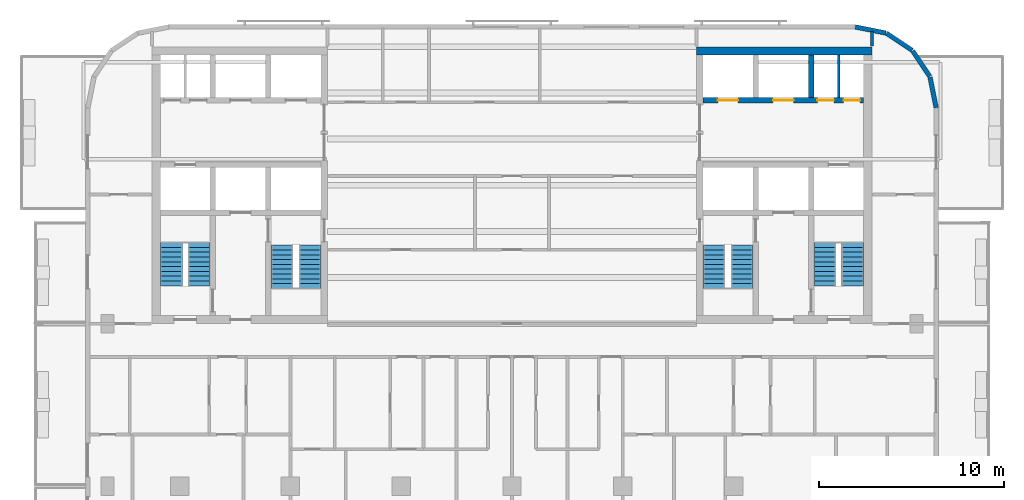
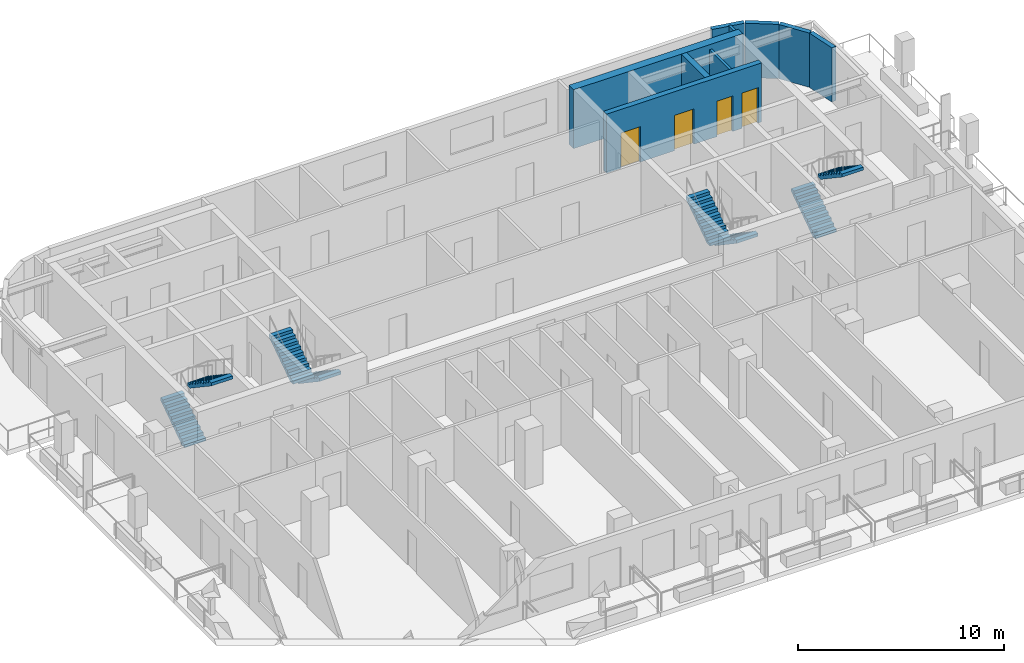
# One storey, part 7 of 11: 9 walls, 8 stair flights, 4 doors, 4 openings, 4 elements without a shape of their own.
"""IFC4 building model written with IfcOpenShell, lengths in metres."""

from ifc_helpers import new_model, si_unit, direction, frame, frame_2d, origin, place, context, subcontext, project, spatial, polyline, rectangle, outline, extrude, material, layer, layer_set, type_object, element, fill, aggregate, save


model = new_model("IFC4")

# Units and contexts
model_context = context("Model", 3, precision=1e-05, world=origin(), true_north=direction((0.0, 1.0)))
body_context = subcontext(model_context, "Body", "Model", "MODEL_VIEW")
ifc_project = project(units=[si_unit("LENGTHUNIT", "METRE"), si_unit("AREAUNIT", "SQUARE_METRE"), si_unit("VOLUMEUNIT", "CUBIC_METRE"), si_unit("PLANEANGLEUNIT", "RADIAN"), si_unit("MASSUNIT", "GRAM", prefix="KILO")], contexts=[model_context])

# Site, building, storey
site_placement = place(None, origin())
site = spatial("IfcSite", under=ifc_project, at=site_placement, CompositionType="ELEMENT")
building_placement = place(site_placement, origin())
building = spatial("IfcBuilding", under=site, at=building_placement, Name="Torana Hotel and Residences", CompositionType="ELEMENT")
storey_placement = place(building_placement, frame((0.0, 0.0, 287.60009765625)))
storey = spatial("IfcBuildingStorey", under=building, at=storey_placement, Name="L76", CompositionType="ELEMENT", Elevation=287.60009765625)

# Wall, openings, doors
ifc_material_1 = material(Name="Concrete C60/75", Category="concrete")
ifc_layer_1 = layer(ifc_material_1, 0.300048828125)
ifc_layer_set_1 = layer_set([ifc_layer_1], Name="CORE WALL 300 C60/75")
wall_type_1 = type_object("IfcWallType", Name="CORE WALL 300 C60/75", PredefinedType="SHEAR", material=ifc_layer_set_1)
wall_1_placement = place(storey_placement, frame((10.35009765625, -2.89990234375, 0.0), z_axis=(0.0, 0.0, 1.0), x_axis=(1.0, 0.0, 0.0)))
wall_1 = element("IfcWall", 1, at=wall_1_placement, inside=storey, type_object=wall_type_1, Name="Core wall E row-N", PredefinedType="SHEAR", context=body_context, shape_type="SweptSolid", body=[
    extrude(rectangle(XDim=8.699951171875, YDim=0.300048828125, at=frame_2d((4.35009765625, 0.0))), origin(), (0.0, 0.0, 1.0), 3.5),
])
opening_1_placement = place(wall_1_placement, frame((0.800048828125, 0.0, 0.0)))
opening_1 = element("IfcOpeningElement", 2, at=opening_1_placement, cuts=wall_1, Name="Opening LD", PredefinedType="OPENING", context=body_context, shape_type="SweptSolid", body=[
    extrude(rectangle(XDim=1.10009765625, YDim=2.10009765625, at=frame_2d((0.550048828125, 1.050048828125))), frame((0.0, 0.159912109375, 0.0), z_axis=(0.0, -1.0, 0.0), x_axis=(1.0, 0.0, 0.0)), (0.0, 0.0, 1.0), 0.320068359375),
])
opening_2_placement = place(wall_1_placement, frame((3.800048828125, 0.0, 0.0)))
opening_2 = element("IfcOpeningElement", 3, at=opening_2_placement, cuts=wall_1, Name="Opening LD", PredefinedType="OPENING", context=body_context, shape_type="SweptSolid", body=[
    extrude(rectangle(XDim=1.10009765625, YDim=2.10009765625, at=frame_2d((0.550048828125, 1.050048828125))), frame((0.0, 0.159912109375, 0.0), z_axis=(0.0, -1.0, 0.0), x_axis=(1.0, 0.0, 0.0)), (0.0, 0.0, 1.0), 0.320068359375),
])
opening_3_placement = place(wall_1_placement, frame((6.1875, 0.0, 0.0)))
opening_3 = element("IfcOpeningElement", 4, at=opening_3_placement, cuts=wall_1, Name="Opening L76-15", PredefinedType="OPENING", context=body_context, shape_type="SweptSolid", body=[
    extrude(rectangle(XDim=0.89990234375, YDim=2.10009765625, at=frame_2d((0.449951171875, 1.050048828125))), frame((0.0, 0.159912109375, 0.0), z_axis=(0.0, -1.0, 0.0), x_axis=(1.0, 0.0, 0.0)), (0.0, 0.0, 1.0), 0.320068359375),
])
opening_4_placement = place(wall_1_placement, frame((7.612548828125, 0.0, 0.0)))
opening_4 = element("IfcOpeningElement", 5, at=opening_4_placement, cuts=wall_1, Name="Opening L76-16", PredefinedType="OPENING", context=body_context, shape_type="SweptSolid", body=[
    extrude(rectangle(XDim=0.89990234375, YDim=2.10009765625, at=frame_2d((0.449951171875, 1.050048828125))), frame((0.0, 0.159912109375, 0.0), z_axis=(0.0, -1.0, 0.0), x_axis=(1.0, 0.0, 0.0)), (0.0, 0.0, 1.0), 0.320068359375),
])
ifc_material_2 = material(Name="Stainless steel 316", Category="steel")
door_type_1 = type_object("IfcDoorType", Name="LIFT LANDING DOOR LD 1100x2100", OperationType="DOUBLE_DOOR_SLIDING", PredefinedType="USERDEFINED", material=ifc_material_2)
door_1_placement = place(opening_1_placement, origin())
door_1 = element("IfcDoor", 6, at=door_1_placement, inside=storey, type_object=door_type_1, Name="Lift landing door H3 L76", ObjectType="LIFT LANDING DOOR", OperationType="DOUBLE_DOOR_SLIDING", OverallHeight=2.10009765625, OverallWidth=1.10009765625, PredefinedType="USERDEFINED", context=body_context, shape_type="SweptSolid", body=[
    extrude(rectangle(XDim=1.10009765625, YDim=2.10009765625, at=frame_2d((0.550048828125, 1.050048828125))), frame((0.0, 0.02490234375, 0.0), z_axis=(0.0, -1.0, 0.0), x_axis=(1.0, 0.0, 0.0)), (0.0, 0.0, 1.0), 0.050048828125),
])
fill(opening_1, door_1)
door_2_placement = place(opening_2_placement, origin())
door_2 = element("IfcDoor", 7, at=door_2_placement, inside=storey, type_object=door_type_1, Name="Lift landing door H4 L76", ObjectType="LIFT LANDING DOOR", OperationType="DOUBLE_DOOR_SLIDING", OverallHeight=2.10009765625, OverallWidth=1.10009765625, PredefinedType="USERDEFINED", context=body_context, shape_type="SweptSolid", body=[
    extrude(rectangle(XDim=1.10009765625, YDim=2.10009765625, at=frame_2d((0.550048828125, 1.050048828125))), frame((0.0, 0.02490234375, 0.0), z_axis=(0.0, -1.0, 0.0), x_axis=(1.0, 0.0, 0.0)), (0.0, 0.0, 1.0), 0.050048828125),
])
fill(opening_2, door_2)
ifc_material_3 = material(Name="Steel S235", Category="steel")
door_type_2 = type_object("IfcDoorType", Name="RISER ACCESS DOOR D5 900x2100", OperationType="SINGLE_SWING_LEFT", PredefinedType="DOOR", material=ifc_material_3)
door_3_placement = place(opening_3_placement, origin())
door_3 = element("IfcDoor", 8, at=door_3_placement, inside=storey, type_object=door_type_2, Name="N2A door L76", OperationType="SINGLE_SWING_RIGHT", OverallHeight=2.10009765625, OverallWidth=0.89990234375, PredefinedType="DOOR", context=body_context, shape_type="SweptSolid", body=[
    extrude(rectangle(XDim=0.89990234375, YDim=2.10009765625, at=frame_2d((0.449951171875, 1.050048828125))), frame((0.0, 0.02490234375, 0.0), z_axis=(0.0, -1.0, 0.0), x_axis=(1.0, 0.0, 0.0)), (0.0, 0.0, 1.0), 0.050048828125),
])
fill(opening_3, door_3)
door_4_placement = place(opening_4_placement, origin())
door_4 = element("IfcDoor", 9, at=door_4_placement, inside=storey, type_object=door_type_2, Name="N2B door L76", OperationType="SINGLE_SWING_RIGHT", OverallHeight=2.10009765625, OverallWidth=0.89990234375, PredefinedType="DOOR", context=body_context, shape_type="SweptSolid", body=[
    extrude(rectangle(XDim=0.89990234375, YDim=2.10009765625, at=frame_2d((0.449951171875, 1.050048828125))), frame((0.0, 0.02490234375, 0.0), z_axis=(0.0, -1.0, 0.0), x_axis=(1.0, 0.0, 0.0)), (0.0, 0.0, 1.0), 0.050048828125),
])
fill(opening_4, door_4)

# Walls
wall_2_placement = place(storey_placement, frame((16.199951171875, -2.75, 0.0), z_axis=(0.0, 0.0, 1.0), x_axis=(0.0, 1.0, 0.0)))
element("IfcWall", 10, at=wall_2_placement, inside=storey, type_object=wall_type_1, Name="Core wall E x6.05-N", PredefinedType="SHEAR", context=body_context, shape_type="SweptSolid", body=[
    extrude(rectangle(XDim=2.300048828125, YDim=0.300048828125, at=frame_2d((1.14990234375, 0.0))), origin(), (0.0, 0.0, 1.0), 3.5),
])
ifc_material_4 = material(Name="Concrete C60/75", Category="concrete")
ifc_layer_2 = layer(ifc_material_4, 0.449951171875)
ifc_layer_set_2 = layer_set([ifc_layer_2], Name="CORE WALL 450 C60/75")
wall_type_2 = type_object("IfcWallType", Name="CORE WALL 450 C60/75", PredefinedType="SHEAR", material=ifc_layer_set_2)
wall_3_placement = place(storey_placement, frame((10.0, -0.22509765625, 0.0), z_axis=(0.0, 0.0, 1.0), x_axis=(1.0, 0.0, 0.0)))
element("IfcWall", 11, at=wall_3_placement, inside=storey, type_object=wall_type_2, Name="Core wall E rear", PredefinedType="SHEAR", context=body_context, shape_type="SweptSolid", body=[
    extrude(rectangle(XDim=9.5, YDim=0.449951171875, at=frame_2d((4.75, 0.0))), origin(), (0.0, 0.0, 1.0), 3.5),
])
ifc_material_5 = material(Name="Black aluminium composite panel", Category="aluminium")
ifc_layer_3 = layer(ifc_material_5, 0.00390625, Name="Cladding", Category="cladding")
ifc_material_6 = material(Name="Ventilated air cavity")
ifc_layer_4 = layer(ifc_material_6, 0.0400390625, Name="Ventilated cavity", Category="cavity")
ifc_material_7 = material(Name="Mineral wool insulation")
ifc_layer_5 = layer(ifc_material_7, 0.090087890625, Name="Insulation", Category="insulation")
ifc_material_8 = material(Name="Steel S280GD", Category="steel")
ifc_layer_6 = layer(ifc_material_8, 0.092041015625, Name="Steel stud frame", Category="structure")
ifc_material_9 = material(Name="Fire rated plasterboard")
ifc_layer_7 = layer(ifc_material_9, 0.011962890625, Name="Inner board", Category="finish")
ifc_layer_8 = layer(ifc_material_9, 0.011962890625, Name="Second board", Category="finish")
ifc_layer_set_3 = layer_set([ifc_layer_3, ifc_layer_4, ifc_layer_5, ifc_layer_6, ifc_layer_7, ifc_layer_8], Name="EW1 EXTERNAL WALL BLACK METAL CLAD 250")
wall_type_3 = type_object("IfcWallType", Name="EW1 EXTERNAL WALL BLACK METAL CLAD 250", PredefinedType="SOLIDWALL", material=ifc_layer_set_3)
wall_4_placement = place(storey_placement, frame((22.97265625, -3.30029296875, 0.0), z_axis=(0.0, 0.0, 1.0), x_axis=(-0.19513878023, 0.980775640221, 0.0)))
element("IfcWall", 12, at=wall_4_placement, inside=storey, type_object=wall_type_3, Name="External wall L76 e0.0", PredefinedType="SOLIDWALL", context=body_context, shape_type="SweptSolid", body=[
    extrude(rectangle(XDim=1.681396484375, YDim=0.25, at=frame_2d((0.8408203125, 0.0))), origin(), (0.0, 0.0, 1.0), 3.219970703125),
])
for number, where, z_axis, x_axis, name in (
    (13, (22.6259765625, -1.60595703125, 0.0), (0.0, 0.0, 1.0), (-0.55555029066, 0.831482937015, 0.0), "External wall L76 e0.1"),
    (14, (21.671142578125, -0.1943359375, 0.0), (0.0, 0.0, 1.0), (-0.831482937015, 0.55555029066, 0.0), "External wall L76 e0.2"),
):
    element("IfcWall", number, at=place(storey_placement, frame(where, z_axis=z_axis, x_axis=x_axis)), inside=storey, type_object=wall_type_3, Name=name, PredefinedType="SOLIDWALL", context=body_context, shape_type="SweptSolid", body=[
        extrude(rectangle(XDim=1.65625, YDim=0.25, at=frame_2d((0.828125, 0.0))), origin(), (0.0, 0.0, 1.0), 3.219970703125),
    ])
wall_5_placement = place(storey_placement, frame((20.248779296875, 0.74462890625, 0.0), z_axis=(0.0, 0.0, 1.0), x_axis=(-0.980797896849, 0.195026884138, 0.0)))
element("IfcWall", 15, at=wall_5_placement, inside=storey, type_object=wall_type_3, Name="External wall L76 e0.3", PredefinedType="SOLIDWALL", context=body_context, shape_type="SweptSolid", body=[
    extrude(rectangle(XDim=1.68115234375, YDim=0.25, at=frame_2d((0.840576171875, 0.0))), origin(), (0.0, 0.0, 1.0), 3.219970703125),
])
ifc_material_10 = material(Name="Gypsum plaster")
ifc_layer_9 = layer(ifc_material_10, 0.014892578125, Name="Plaster", Category="finish")
ifc_material_11 = material(Name="Concrete blockwork", Category="masonry")
ifc_layer_10 = layer(ifc_material_11, 0.1201171875, Name="Blockwork", Category="structure")
ifc_layer_11 = layer(ifc_material_10, 0.014892578125, Name="Plaster", Category="finish")
ifc_layer_set_4 = layer_set([ifc_layer_9, ifc_layer_10, ifc_layer_11], Name="FIRE PARTITION 150 BLOCKWORK")
wall_type_4 = type_object("IfcWallType", Name="FIRE PARTITION 150 BLOCKWORK", PredefinedType="PARTITIONING", material=ifc_layer_set_4)
wall_6_placement = place(storey_placement, frame((17.699951171875, -2.75, 0.0), z_axis=(0.0, 0.0, 1.0), x_axis=(0.0, 1.0, 0.0)))
element("IfcWall", 16, at=wall_6_placement, inside=storey, type_object=wall_type_4, Name="Core partition L76", PredefinedType="PARTITIONING", context=body_context, shape_type="SweptSolid", body=[
    extrude(rectangle(XDim=2.300048828125, YDim=0.14990234375, at=frame_2d((1.14990234375, 0.0))), origin(), (0.0, 0.0, 1.0), 3.199951171875),
])
ifc_material_12 = material(Name="Gypsum plasterboard")
ifc_layer_12 = layer(ifc_material_12, 0.012451171875, Name="Plasterboard", Category="finish")
ifc_layer_13 = layer(ifc_material_12, 0.012451171875, Name="Plasterboard", Category="finish")
ifc_layer_14 = layer(ifc_material_8, 0.10009765625, Name="Steel studs with mineral wool", Category="insulation")
ifc_layer_15 = layer(ifc_material_12, 0.012451171875, Name="Plasterboard", Category="finish")
ifc_layer_16 = layer(ifc_material_12, 0.012451171875, Name="Plasterboard", Category="finish")
ifc_layer_set_5 = layer_set([ifc_layer_12, ifc_layer_13, ifc_layer_14, ifc_layer_15, ifc_layer_16], Name="PARTITION 150 PLASTERBOARD")
wall_type_5 = type_object("IfcWallType", Name="PARTITION 150 PLASTERBOARD", PredefinedType="PARTITIONING", material=ifc_layer_set_5)
wall_7_placement = place(storey_placement, frame((19.5, 0.050048828125, 0.0), z_axis=(0.0, 0.0, 1.0), x_axis=(0.0, 1.0, 0.0)))
element("IfcWall", 17, at=wall_7_placement, inside=storey, type_object=wall_type_5, Name="Partition L76", PredefinedType="PARTITIONING", context=body_context, shape_type="SweptSolid", body=[
    extrude(rectangle(XDim=0.787353515625, YDim=0.14990234375, at=frame_2d((0.3935546875, 0.0))), origin(), (0.0, 0.0, 1.0), 3.219970703125),
])

# Stair, stair flights
ifc_material_13 = material(Name="Concrete C40/50 precast", Category="concrete")
stair_type_1 = type_object("IfcStairType", Name="STAIR ST1 HALF TURN 1200", PredefinedType="HALF_TURN_STAIR", material=ifc_material_13)
stair_1_placement = place(storey_placement, origin())
stair_1 = element("IfcStair", 18, at=stair_1_placement, inside=storey, type_object=stair_type_1, Name="Stair ST1 L76", PredefinedType="HALF_TURN_STAIR")
ifc_material_14 = material(Name="Concrete C40/50 precast", Category="concrete")
stair_flight_type = type_object("IfcStairFlightType", Name="STAIR FLIGHT 1200 PRECAST", PredefinedType="STRAIGHT", material=ifc_material_14)
stair_flight_1_placement = place(storey_placement, frame((-10.949951171875, -10.75, 0.0), z_axis=(0.0, 0.0, 1.0), x_axis=(0.0, -1.0, 0.0)))
stair_flight_1 = element("IfcStairFlight", 19, at=stair_flight_1_placement, type_object=stair_flight_type, Name="ST1 flight 1", NumberOfRisers=10, NumberOfTreads=9, PredefinedType="STRAIGHT", RiserHeight=0.175, TreadLength=0.26, context=body_context, shape_type="SweptSolid", body=[
    extrude(outline(polyline([(0.0, 0.0), (0.0, 0.175048828125), (0.260009765625, 0.175048828125), (0.260009765625, 0.35009765625), (0.52001953125, 0.35009765625), (0.52001953125, 0.52490234375), (0.780029296875, 0.52490234375), (0.780029296875, 0.699951171875), (1.0400390625, 0.699951171875), (1.0400390625, 0.875), (1.300048828125, 0.875), (1.300048828125, 1.050048828125), (1.56005859375, 1.050048828125), (1.56005859375, 1.22509765625), (1.820068359375, 1.22509765625), (1.820068359375, 1.39990234375), (2.080078125, 1.39990234375), (2.080078125, 1.574951171875), (2.340087890625, 1.574951171875), (2.340087890625, 1.75), (2.340087890625, 1.394287109375), (0.2685546875, 0.0), (0.0, 0.0)])), frame((0.0, 0.60009765625, 0.0), z_axis=(0.0, -1.0, 0.0), x_axis=(1.0, 0.0, 0.0)), (0.0, 0.0, 1.0), 1.199951171875),
])
stair_flight_2_placement = place(storey_placement, frame((-12.449951171875, -13.090087890625, 1.75), z_axis=(0.0, 0.0, 1.0), x_axis=(0.0, 1.0, 0.0)))
stair_flight_2 = element("IfcStairFlight", 20, at=stair_flight_2_placement, type_object=stair_flight_type, Name="ST1 flight 2", NumberOfRisers=10, NumberOfTreads=9, PredefinedType="STRAIGHT", RiserHeight=0.175, TreadLength=0.26, context=body_context, shape_type="SweptSolid", body=[
    extrude(outline(polyline([(0.0, 0.0), (0.0, 0.175048828125), (0.260009765625, 0.175048828125), (0.260009765625, 0.35009765625), (0.52001953125, 0.35009765625), (0.52001953125, 0.52490234375), (0.780029296875, 0.52490234375), (0.780029296875, 0.699951171875), (1.0400390625, 0.699951171875), (1.0400390625, 0.875), (1.300048828125, 0.875), (1.300048828125, 1.050048828125), (1.56005859375, 1.050048828125), (1.56005859375, 1.22509765625), (1.820068359375, 1.22509765625), (1.820068359375, 1.39990234375), (2.080078125, 1.39990234375), (2.080078125, 1.574951171875), (2.340087890625, 1.574951171875), (2.340087890625, 1.75), (2.340087890625, 1.394287109375), (0.2685546875, 0.0), (0.0, 0.0)])), frame((0.0, 0.60009765625, 0.0), z_axis=(0.0, -1.0, 0.0), x_axis=(1.0, 0.0, 0.0)), (0.0, 0.0, 1.0), 1.199951171875),
])
aggregate(stair_1, [stair_flight_1, stair_flight_2])

ifc_material_15 = material(Name="Concrete C40/50 precast", Category="concrete")
stair_type_2 = type_object("IfcStairType", Name="STAIR ST2 HALF TURN 1200", PredefinedType="HALF_TURN_STAIR", material=ifc_material_15)
stair_2_placement = place(storey_placement, origin())
stair_2 = element("IfcStair", 21, at=stair_2_placement, inside=storey, type_object=stair_type_2, Name="Stair ST2 L76", PredefinedType="HALF_TURN_STAIR")
stair_flight_3_placement = place(storey_placement, frame((-18.449951171875, -12.949951171875, 0.0), z_axis=(0.0, 0.0, 1.0), x_axis=(0.0, 1.0, 0.0)))
stair_flight_3 = element("IfcStairFlight", 22, at=stair_flight_3_placement, type_object=stair_flight_type, Name="ST2 flight 1", NumberOfRisers=10, NumberOfTreads=9, PredefinedType="STRAIGHT", RiserHeight=0.175, TreadLength=0.26, context=body_context, shape_type="SweptSolid", body=[
    extrude(outline(polyline([(0.0, 0.0), (0.0, 0.175048828125), (0.260009765625, 0.175048828125), (0.260009765625, 0.35009765625), (0.52001953125, 0.35009765625), (0.52001953125, 0.52490234375), (0.780029296875, 0.52490234375), (0.780029296875, 0.699951171875), (1.0400390625, 0.699951171875), (1.0400390625, 0.875), (1.300048828125, 0.875), (1.300048828125, 1.050048828125), (1.56005859375, 1.050048828125), (1.56005859375, 1.22509765625), (1.820068359375, 1.22509765625), (1.820068359375, 1.39990234375), (2.080078125, 1.39990234375), (2.080078125, 1.574951171875), (2.340087890625, 1.574951171875), (2.340087890625, 1.75), (2.340087890625, 1.394287109375), (0.2685546875, 0.0), (0.0, 0.0)])), frame((0.0, 0.60009765625, 0.0), z_axis=(0.0, -1.0, 0.0), x_axis=(1.0, 0.0, 0.0)), (0.0, 0.0, 1.0), 1.199951171875),
])
stair_flight_4_placement = place(storey_placement, frame((-16.949951171875, -10.610107421875, 1.75), z_axis=(0.0, 0.0, 1.0), x_axis=(0.0, -1.0, 0.0)))
stair_flight_4 = element("IfcStairFlight", 23, at=stair_flight_4_placement, type_object=stair_flight_type, Name="ST2 flight 2", NumberOfRisers=10, NumberOfTreads=9, PredefinedType="STRAIGHT", RiserHeight=0.175, TreadLength=0.26, context=body_context, shape_type="SweptSolid", body=[
    extrude(outline(polyline([(0.0, 0.0), (0.0, 0.175048828125), (0.260009765625, 0.175048828125), (0.260009765625, 0.35009765625), (0.52001953125, 0.35009765625), (0.52001953125, 0.52490234375), (0.780029296875, 0.52490234375), (0.780029296875, 0.699951171875), (1.0400390625, 0.699951171875), (1.0400390625, 0.875), (1.300048828125, 0.875), (1.300048828125, 1.050048828125), (1.56005859375, 1.050048828125), (1.56005859375, 1.22509765625), (1.820068359375, 1.22509765625), (1.820068359375, 1.39990234375), (2.080078125, 1.39990234375), (2.080078125, 1.574951171875), (2.340087890625, 1.574951171875), (2.340087890625, 1.75), (2.340087890625, 1.394287109375), (0.2685546875, 0.0), (0.0, 0.0)])), frame((0.0, 0.60009765625, 0.0), z_axis=(0.0, -1.0, 0.0), x_axis=(1.0, 0.0, 0.0)), (0.0, 0.0, 1.0), 1.199951171875),
])
aggregate(stair_2, [stair_flight_3, stair_flight_4])

ifc_material_16 = material(Name="Concrete C40/50 precast", Category="concrete")
stair_type_3 = type_object("IfcStairType", Name="STAIR ST3 HALF TURN 1200", PredefinedType="HALF_TURN_STAIR", material=ifc_material_16)
stair_3_placement = place(storey_placement, origin())
stair_3 = element("IfcStair", 24, at=stair_3_placement, inside=storey, type_object=stair_type_3, Name="Stair ST3 L76", PredefinedType="HALF_TURN_STAIR")
stair_flight_5_placement = place(storey_placement, frame((12.449951171875, -10.75, 0.0), z_axis=(0.0, 0.0, 1.0), x_axis=(0.0, -1.0, 0.0)))
stair_flight_5 = element("IfcStairFlight", 25, at=stair_flight_5_placement, type_object=stair_flight_type, Name="ST3 flight 1", NumberOfRisers=10, NumberOfTreads=9, PredefinedType="STRAIGHT", RiserHeight=0.175, TreadLength=0.26, context=body_context, shape_type="SweptSolid", body=[
    extrude(outline(polyline([(0.0, 0.0), (0.0, 0.175048828125), (0.260009765625, 0.175048828125), (0.260009765625, 0.35009765625), (0.52001953125, 0.35009765625), (0.52001953125, 0.52490234375), (0.780029296875, 0.52490234375), (0.780029296875, 0.699951171875), (1.0400390625, 0.699951171875), (1.0400390625, 0.875), (1.300048828125, 0.875), (1.300048828125, 1.050048828125), (1.56005859375, 1.050048828125), (1.56005859375, 1.22509765625), (1.820068359375, 1.22509765625), (1.820068359375, 1.39990234375), (2.080078125, 1.39990234375), (2.080078125, 1.574951171875), (2.340087890625, 1.574951171875), (2.340087890625, 1.75), (2.340087890625, 1.394287109375), (0.2685546875, 0.0), (0.0, 0.0)])), frame((0.0, 0.60009765625, 0.0), z_axis=(0.0, -1.0, 0.0), x_axis=(1.0, 0.0, 0.0)), (0.0, 0.0, 1.0), 1.199951171875),
])
stair_flight_6_placement = place(storey_placement, frame((10.949951171875, -13.090087890625, 1.75), z_axis=(0.0, 0.0, 1.0), x_axis=(0.0, 1.0, 0.0)))
stair_flight_6 = element("IfcStairFlight", 26, at=stair_flight_6_placement, type_object=stair_flight_type, Name="ST3 flight 2", NumberOfRisers=10, NumberOfTreads=9, PredefinedType="STRAIGHT", RiserHeight=0.175, TreadLength=0.26, context=body_context, shape_type="SweptSolid", body=[
    extrude(outline(polyline([(0.0, 0.0), (0.0, 0.175048828125), (0.260009765625, 0.175048828125), (0.260009765625, 0.35009765625), (0.52001953125, 0.35009765625), (0.52001953125, 0.52490234375), (0.780029296875, 0.52490234375), (0.780029296875, 0.699951171875), (1.0400390625, 0.699951171875), (1.0400390625, 0.875), (1.300048828125, 0.875), (1.300048828125, 1.050048828125), (1.56005859375, 1.050048828125), (1.56005859375, 1.22509765625), (1.820068359375, 1.22509765625), (1.820068359375, 1.39990234375), (2.080078125, 1.39990234375), (2.080078125, 1.574951171875), (2.340087890625, 1.574951171875), (2.340087890625, 1.75), (2.340087890625, 1.394287109375), (0.2685546875, 0.0), (0.0, 0.0)])), frame((0.0, 0.60009765625, 0.0), z_axis=(0.0, -1.0, 0.0), x_axis=(1.0, 0.0, 0.0)), (0.0, 0.0, 1.0), 1.199951171875),
])
aggregate(stair_3, [stair_flight_5, stair_flight_6])

ifc_material_17 = material(Name="Concrete C40/50 precast", Category="concrete")
stair_type_4 = type_object("IfcStairType", Name="STAIR ST4 HALF TURN 1200", PredefinedType="HALF_TURN_STAIR", material=ifc_material_17)
stair_4_placement = place(storey_placement, origin())
stair_4 = element("IfcStair", 27, at=stair_4_placement, inside=storey, type_object=stair_type_4, Name="Stair ST4 L76", PredefinedType="HALF_TURN_STAIR")
stair_flight_7_placement = place(storey_placement, frame((16.949951171875, -12.949951171875, 0.0), z_axis=(0.0, 0.0, 1.0), x_axis=(0.0, 1.0, 0.0)))
stair_flight_7 = element("IfcStairFlight", 28, at=stair_flight_7_placement, type_object=stair_flight_type, Name="ST4 flight 1", NumberOfRisers=10, NumberOfTreads=9, PredefinedType="STRAIGHT", RiserHeight=0.175, TreadLength=0.26, context=body_context, shape_type="SweptSolid", body=[
    extrude(outline(polyline([(0.0, 0.0), (0.0, 0.175048828125), (0.260009765625, 0.175048828125), (0.260009765625, 0.35009765625), (0.52001953125, 0.35009765625), (0.52001953125, 0.52490234375), (0.780029296875, 0.52490234375), (0.780029296875, 0.699951171875), (1.0400390625, 0.699951171875), (1.0400390625, 0.875), (1.300048828125, 0.875), (1.300048828125, 1.050048828125), (1.56005859375, 1.050048828125), (1.56005859375, 1.22509765625), (1.820068359375, 1.22509765625), (1.820068359375, 1.39990234375), (2.080078125, 1.39990234375), (2.080078125, 1.574951171875), (2.340087890625, 1.574951171875), (2.340087890625, 1.75), (2.340087890625, 1.394287109375), (0.2685546875, 0.0), (0.0, 0.0)])), frame((0.0, 0.60009765625, 0.0), z_axis=(0.0, -1.0, 0.0), x_axis=(1.0, 0.0, 0.0)), (0.0, 0.0, 1.0), 1.199951171875),
])
stair_flight_8_placement = place(storey_placement, frame((18.449951171875, -10.610107421875, 1.75), z_axis=(0.0, 0.0, 1.0), x_axis=(0.0, -1.0, 0.0)))
stair_flight_8 = element("IfcStairFlight", 29, at=stair_flight_8_placement, type_object=stair_flight_type, Name="ST4 flight 2", NumberOfRisers=10, NumberOfTreads=9, PredefinedType="STRAIGHT", RiserHeight=0.175, TreadLength=0.26, context=body_context, shape_type="SweptSolid", body=[
    extrude(outline(polyline([(0.0, 0.0), (0.0, 0.175048828125), (0.260009765625, 0.175048828125), (0.260009765625, 0.35009765625), (0.52001953125, 0.35009765625), (0.52001953125, 0.52490234375), (0.780029296875, 0.52490234375), (0.780029296875, 0.699951171875), (1.0400390625, 0.699951171875), (1.0400390625, 0.875), (1.300048828125, 0.875), (1.300048828125, 1.050048828125), (1.56005859375, 1.050048828125), (1.56005859375, 1.22509765625), (1.820068359375, 1.22509765625), (1.820068359375, 1.39990234375), (2.080078125, 1.39990234375), (2.080078125, 1.574951171875), (2.340087890625, 1.574951171875), (2.340087890625, 1.75), (2.340087890625, 1.394287109375), (0.2685546875, 0.0), (0.0, 0.0)])), frame((0.0, 0.60009765625, 0.0), z_axis=(0.0, -1.0, 0.0), x_axis=(1.0, 0.0, 0.0)), (0.0, 0.0, 1.0), 1.199951171875),
])
aggregate(stair_4, [stair_flight_7, stair_flight_8])

save(model, "model.ifc")
